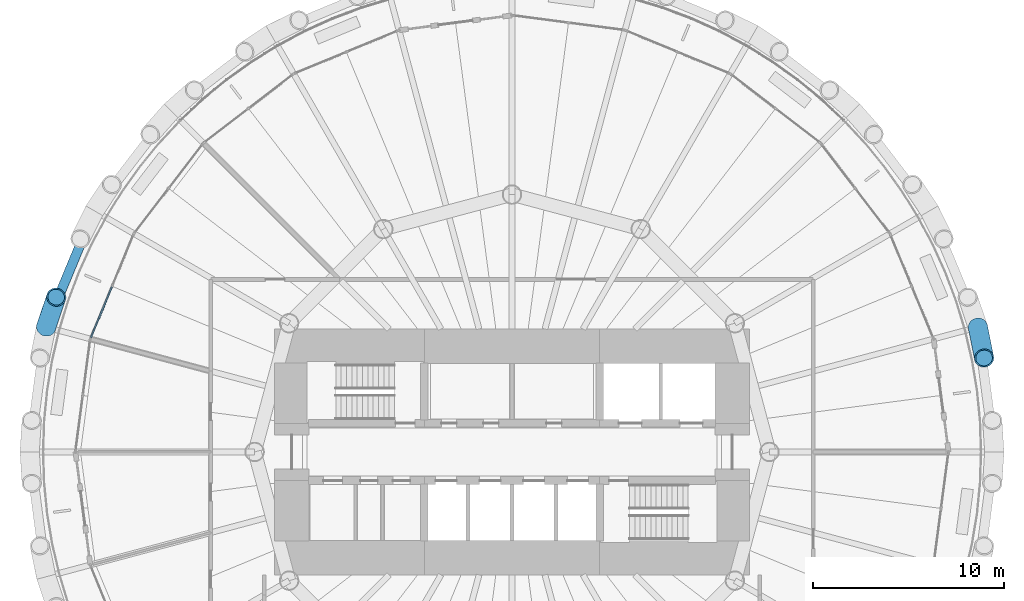
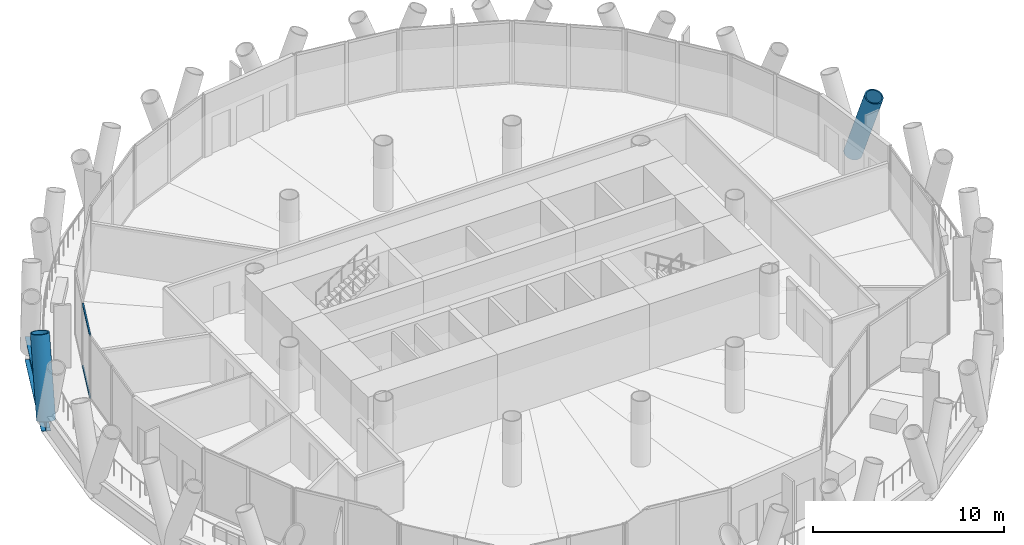
# One storey, part 5 of 15: 4 members, 1 beam, 1 element without a shape of its own.
"""IFC4 building model written with IfcOpenShell, lengths in metres."""

from ifc_helpers import new_model, si_unit, direction, frame, origin, origin_2d, place, context, subcontext, project, spatial, rectangle, hollow_circle, i_section, extrude, material, material_profile, profile_set, type_object, element, aggregate, save


model = new_model("IFC4")

# Units and contexts
model_context = context("Model", 3, precision=1e-05, world=origin(), true_north=direction((0.0, 1.0)))
body_context = subcontext(model_context, "Body", "Model", "MODEL_VIEW")
ifc_project = project(units=[si_unit("LENGTHUNIT", "METRE"), si_unit("AREAUNIT", "SQUARE_METRE"), si_unit("VOLUMEUNIT", "CUBIC_METRE"), si_unit("PLANEANGLEUNIT", "RADIAN"), si_unit("MASSUNIT", "GRAM", prefix="KILO")], contexts=[model_context])

# Site, building, storey
site_placement = place(None, origin())
site = spatial("IfcSite", under=ifc_project, at=site_placement, CompositionType="ELEMENT")
building_placement = place(site_placement, origin())
building = spatial("IfcBuilding", under=site, at=building_placement, Name="Qaws Media Tower", CompositionType="ELEMENT")
storey_placement = place(building_placement, frame((0.0, 0.0, 110.0)))
storey = spatial("IfcBuildingStorey", under=building, at=storey_placement, Name="L24", CompositionType="ELEMENT", Elevation=110.0)

# Curtain wall, members
ifc_material_1 = material(Name="Aluminium and clear glass", Category="aluminium")
curtain_wall_type = type_object("IfcCurtainWallType", Name="Unitised curtain wall CW-B", PredefinedType="NOTDEFINED", material=ifc_material_1)
curtain_wall_placement = place(storey_placement, origin())
curtain_wall = element("IfcCurtainWall", 1, at=curtain_wall_placement, inside=storey, type_object=curtain_wall_type, Name="CWB curtain wall L24-11", PredefinedType="NOTDEFINED")
ifc_material_2 = material(Name="Aluminium transom", Category="aluminium")
ifc_material_profile_1 = material_profile(ifc_material_2, rectangle(XDim=0.080078125, YDim=0.159912109375, at=origin_2d()), Name="80x160")
ifc_profile_set_1 = profile_set([ifc_material_profile_1], Name="Aluminium transom")
member_type_1 = type_object("IfcMemberType", Name="Curtain wall transom 80x160", PredefinedType="USERDEFINED", material=ifc_profile_set_1)
member_1_placement = place(storey_placement, frame((39.0087890625, 58.651611328125, 0.0400390625), z_axis=(-0.382674959875, -0.923883041886, 0.0), x_axis=(0.923883041886, -0.382674959875, 0.0)))
member_1 = element("IfcMember", 2, at=member_1_placement, type_object=member_type_1, Name="CWB transom 2.1", ObjectType="TRANSOM", PredefinedType="USERDEFINED", context=body_context, shape_type="SweptSolid", body=[
    extrude(rectangle(XDim=0.080078125, YDim=0.159912109375, at=origin_2d()), origin(), (0.0, 0.0, 1.0), 2.868896484375),
])
member_2_placement = place(storey_placement, frame((39.0087890625, 58.651611328125, 4.0), z_axis=(-0.382674959875, -0.923883041886, 0.0), x_axis=(0.923883041886, -0.382674959875, 0.0)))
member_2 = element("IfcMember", 3, at=member_2_placement, type_object=member_type_1, Name="CWB transom 2.2", ObjectType="TRANSOM", PredefinedType="USERDEFINED", context=body_context, shape_type="SweptSolid", body=[
    extrude(rectangle(XDim=0.080078125, YDim=0.159912109375, at=origin_2d()), origin(), (0.0, 0.0, 1.0), 2.868896484375),
])
aggregate(curtain_wall, [member_1, member_2])

# Members
ifc_material_3 = material(Name="Steel S460", Category="steel")
ifc_material_profile_2 = material_profile(ifc_material_3, hollow_circle(Radius=0.508056640625, WallThickness=0.070068359375, at=origin_2d()), Name="CHS 1016x70")
ifc_profile_set_2 = profile_set([ifc_material_profile_2], Name="Steel S460")
member_type_2 = type_object("IfcMemberType", Name="Diagrid member CHS 1016x70", PredefinedType="USERDEFINED", material=ifc_profile_set_2)
member_3_placement = place(storey_placement, frame((84.43798828125, 56.548095703125, -0.909912109375), z_axis=(0.068912694466, -0.341938716978, 0.937192058424), x_axis=(0.980290192388, 0.197562999339, 0.0)))
element("IfcMember", 4, at=member_3_placement, inside=storey, type_object=member_type_2, Name="DG3 diagrid L24 B02", ObjectType="DIAGRID", PredefinedType="USERDEFINED", context=body_context, shape_type="SweptSolid", body=[
    extrude(hollow_circle(Radius=0.508056640625, WallThickness=0.070068359375, at=origin_2d()), origin(), (0.0, 0.0, 1.0), 4.74365234375),
])
member_4_placement = place(storey_placement, frame((35.56201171875, 56.548095703125, -0.909912109375), z_axis=(0.111318930759, 0.330611563198, 0.937178792939), x_axis=(-0.947720004094, 0.319103108477, 0.0)))
element("IfcMember", 5, at=member_4_placement, inside=storey, type_object=member_type_2, Name="DG3 diagrid L24 B12", ObjectType="DIAGRID", PredefinedType="USERDEFINED", context=body_context, shape_type="SweptSolid", body=[
    extrude(hollow_circle(Radius=0.508056640625, WallThickness=0.070068359375, at=origin_2d()), origin(), (0.0, 0.0, 1.0), 4.743896484375),
])

# Beam
ifc_material_4 = material(Name="Steel S460", Category="steel")
ifc_material_profile_3 = material_profile(ifc_material_4, i_section(OverallWidth=0.5, OverallDepth=1.5, WebThickness=0.02001953125, FlangeThickness=0.0400390625, at=origin_2d()), Name="PG 1500x500")
ifc_profile_set_3 = profile_set([ifc_material_profile_3], Name="Steel S460")
beam_type = type_object("IfcBeamType", Name="Edge ring beam PG 1500x500", PredefinedType="BEAM", material=ifc_profile_set_3)
beam_placement = place(storey_placement, frame((38.089599609375, 62.64990234375, -0.909912109375), z_axis=(-0.38270111505, -0.923872207905, 0.0), x_axis=(0.923872207905, -0.38270111505, 0.0)))
element("IfcBeam", 6, at=beam_placement, inside=storey, type_object=beam_type, Name="RB4 edge ring beam L24-11", PredefinedType="BEAM", context=body_context, shape_type="SweptSolid", body=[
    extrude(i_section(OverallWidth=0.5, OverallDepth=1.5, WebThickness=0.02001953125, FlangeThickness=0.0400390625, at=origin_2d()), origin(), (0.0, 0.0, 1.0), 6.6044921875),
])

save(model, "model.ifc")
